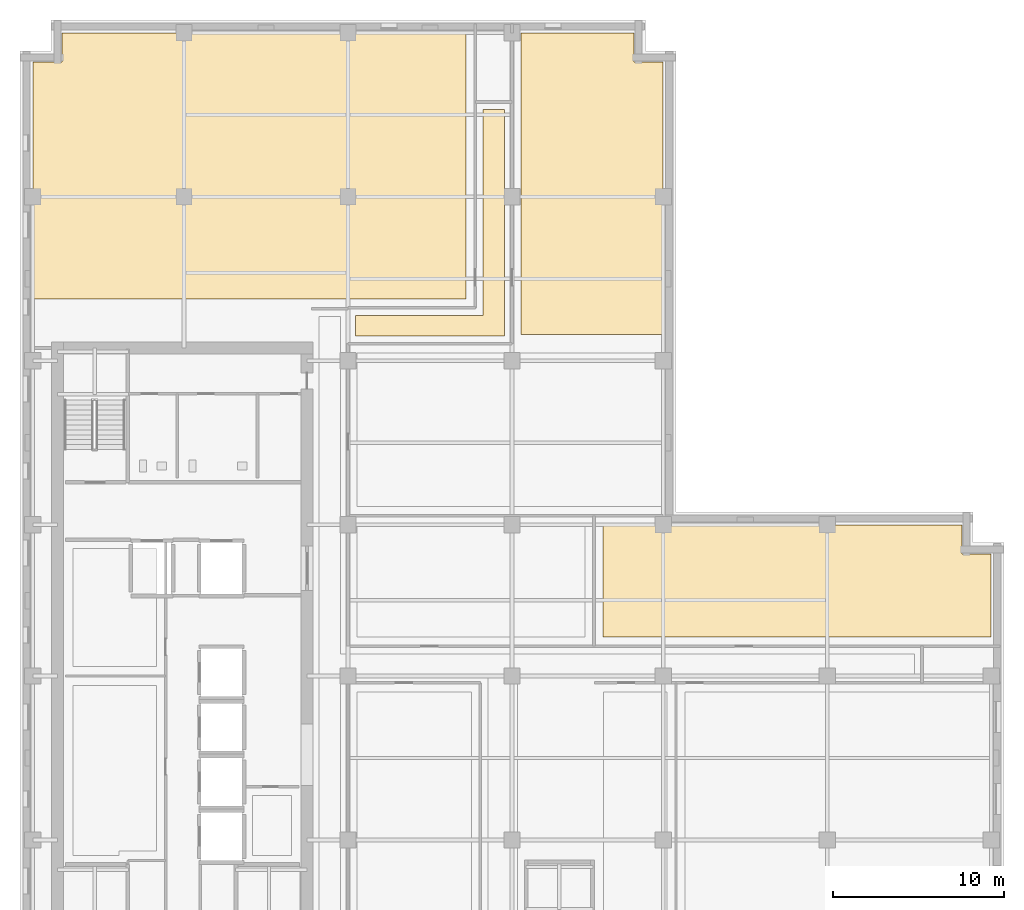
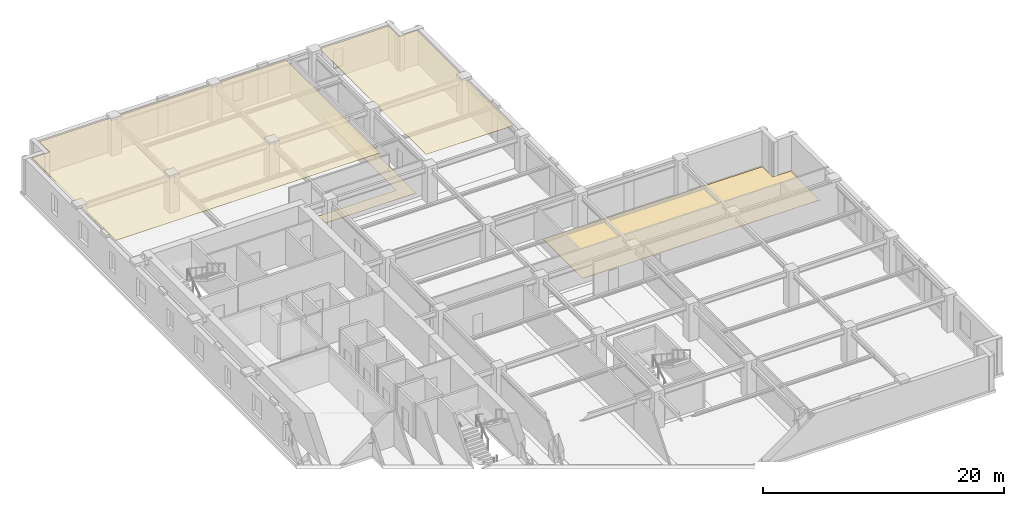
# One storey, part 11 of 12: 4 coverings.
"""IFC4 building model written with IfcOpenShell, lengths in metres."""

from ifc_helpers import new_model, si_unit, direction, frame, origin, place, context, subcontext, project, spatial, polyline, outline, extrude, material, layer, layer_set, type_object, element, save


model = new_model("IFC4")

# Units and contexts
model_context = context("Model", 3, precision=1e-05, world=origin(), true_north=direction((0.0, 1.0)))
body_context = subcontext(model_context, "Body", "Model", "MODEL_VIEW")
ifc_project = project(units=[si_unit("LENGTHUNIT", "METRE"), si_unit("AREAUNIT", "SQUARE_METRE"), si_unit("VOLUMEUNIT", "CUBIC_METRE"), si_unit("PLANEANGLEUNIT", "RADIAN"), si_unit("MASSUNIT", "GRAM", prefix="KILO")], contexts=[model_context])

# Site, building, storey
site_placement = place(None, origin())
site = spatial("IfcSite", under=ifc_project, at=site_placement, CompositionType="ELEMENT")
building_placement = place(site_placement, origin())
building = spatial("IfcBuilding", under=site, at=building_placement, Name="Norrvale University Quadrangle", CompositionType="ELEMENT")
storey_placement = place(building_placement, frame((0.0, 0.0, 182.60009765625)))
storey = spatial("IfcBuildingStorey", under=building, at=storey_placement, Name="L46", CompositionType="ELEMENT", Elevation=182.60009765625)

# Coverings
ifc_material_1 = material(Name="Perforated Acoustic Mineral Ceiling")
ifc_layer_1 = layer(ifc_material_1, 0.02490234375, Name="Perforated Acoustic Mineral Ceiling")
ifc_layer_set_1 = layer_set([ifc_layer_1], Name="Perforated Acoustic Mineral Ceiling")
covering_type_1 = type_object("IfcCoveringType", Name="Covering Acoustic Ceiling 25", PredefinedType="CEILING", material=ifc_layer_set_1)
covering_1_placement = place(storey_placement, frame((0.0, 0.0, 3.514892578125)))
element("IfcCovering", 1, at=covering_1_placement, inside=storey, type_object=covering_type_1, Name="Acoustic Ceiling RM-L46-NE01", PredefinedType="CEILING", context=body_context, shape_type="SweptSolid", body=[
    extrude(outline(polyline([(37.64990234375, 48.780029296875), (29.330078125, 48.780029296875), (29.330078125, 66.449951171875), (35.929931640625, 66.449951171875), (35.929931640625, 64.72998046875), (37.64990234375, 64.72998046875), (37.64990234375, 48.780029296875)])), origin(), (0.0, 0.0, 1.0), 0.02490234375),
])
covering_2_placement = place(storey_placement, frame((0.0, 0.0, 3.514892578125)))
element("IfcCovering", 2, at=covering_2_placement, inside=storey, type_object=covering_type_1, Name="Acoustic Ceiling RM-L46-NW01", PredefinedType="CEILING", context=body_context, shape_type="SweptSolid", body=[
    extrude(outline(polyline([(26.1201171875, 66.449951171875), (26.1201171875, 50.8798828125), (0.75, 50.8798828125), (0.75, 64.72998046875), (2.469970703125, 64.72998046875), (2.469970703125, 66.449951171875), (26.1201171875, 66.449951171875)])), origin(), (0.0, 0.0, 1.0), 0.02490234375),
])
ifc_material_2 = material(Name="Polished Terrazzo Flooring")
ifc_layer_2 = layer(ifc_material_2, 0.02490234375, Name="Polished Terrazzo Flooring")
ifc_layer_set_2 = layer_set([ifc_layer_2], Name="Polished Terrazzo Flooring")
covering_type_2 = type_object("IfcCoveringType", Name="Covering Terrazzo Floor 30", PredefinedType="FLOORING", material=ifc_layer_set_2)
covering_3_placement = place(storey_placement, origin())
element("IfcCovering", 3, at=covering_3_placement, inside=storey, type_object=covering_type_2, Name="Terrazzo Flooring RM-L46-ME02", PredefinedType="FLOORING", context=body_context, shape_type="SweptSolid", body=[
    extrude(outline(polyline([(56.85009765625, 31.080078125), (34.1298828125, 31.080078125), (34.1298828125, 37.64990234375), (55.1298828125, 37.64990234375), (55.1298828125, 35.929931640625), (56.85009765625, 35.929931640625), (56.85009765625, 31.080078125)])), origin(), (0.0, 0.0, 1.0), 0.02490234375),
])
covering_4_placement = place(storey_placement, origin())
element("IfcCovering", 4, at=covering_4_placement, inside=storey, type_object=covering_type_2, Name="Terrazzo Flooring RM-L46-NCJOG", PredefinedType="FLOORING", context=body_context, shape_type="SweptSolid", body=[
    extrude(outline(polyline([(19.64990234375, 48.699951171875), (19.64990234375, 49.89990234375), (27.10009765625, 49.89990234375), (27.10009765625, 61.949951171875), (28.35009765625, 61.949951171875), (28.35009765625, 48.699951171875), (19.64990234375, 48.699951171875)])), origin(), (0.0, 0.0, 1.0), 0.02490234375),
])

save(model, "model.ifc")
